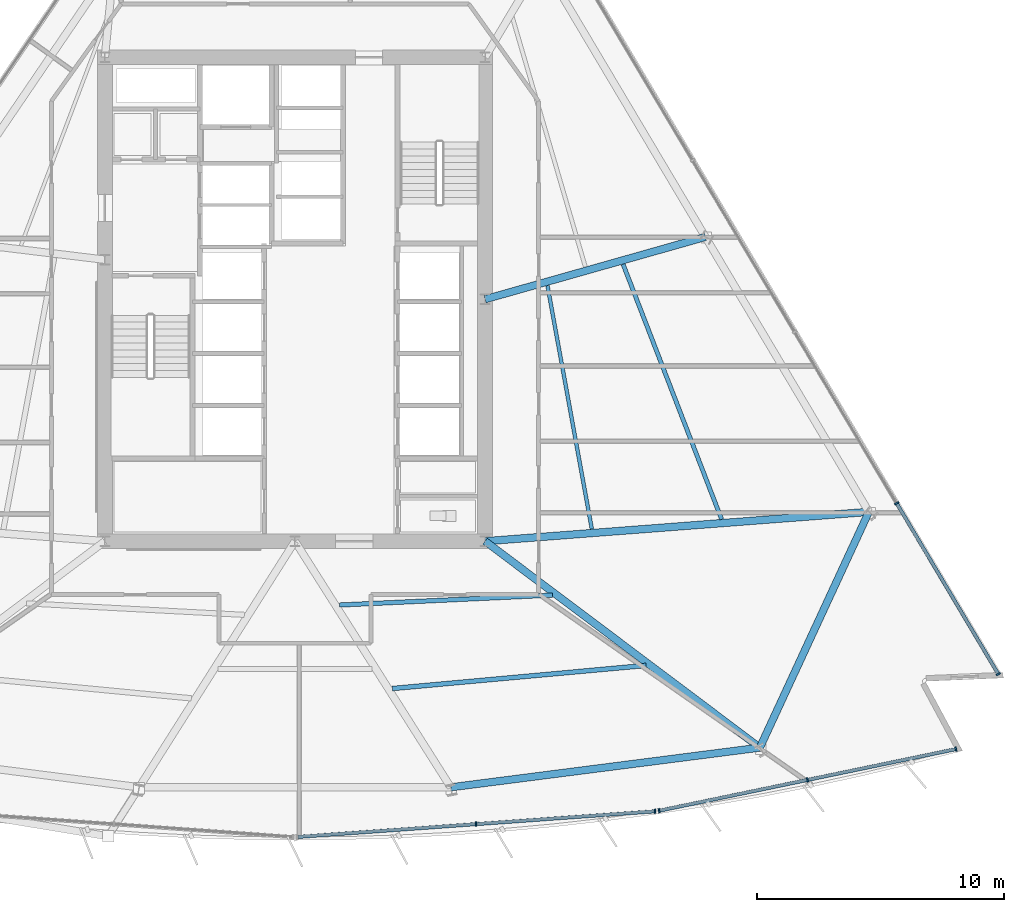
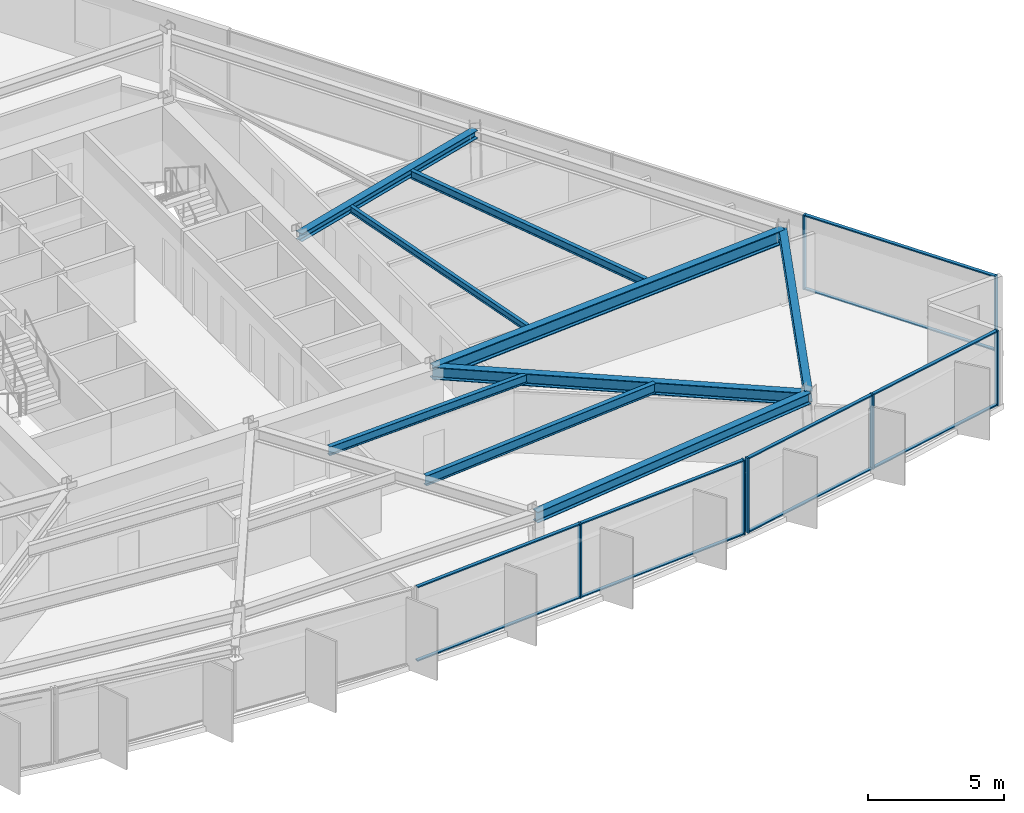
# One storey, part 4 of 15: 17 members, 9 beams, 3 elements without a shape of their own.
"""IFC4 building model written with IfcOpenShell, lengths in metres."""

import ifcopenshell
import ifcopenshell.guid

model = None  # the IFC model being written
_history = None  # IfcOwnerHistory: only IFC2X3 demands one
_inside = {}  # id of a spatial element -> (the spatial element, [elements in it])
_under = {}  # id of a project, library or spatial element -> (it, [spatial elements below it])
_declared = {}  # id of a project -> (the project, [libraries it declares])
_typed = {}  # id of a type object -> (the type object, [elements of that type])
_made_of = {}  # id of a material, layer set ... -> (it, [elements and type objects made of it])


def new_model(schema):
    """Start an empty IFC model of exactly this schema.

    Asked for "IFC4X3", IfcOpenShell would pick the latest addendum, in which some entities
    have other attributes; the version numbers below select the first issue.
    IFC2X3 requires an IfcOwnerHistory on every rooted entity: one is made here for all.
    """
    global model, _history
    if schema == "IFC4X3":
        model = ifcopenshell.file(schema_version=(4, 3, 0, 0))
    else:
        model = ifcopenshell.file(schema=schema)
    _inside.clear()
    _under.clear()
    _declared.clear()
    _typed.clear()
    _made_of.clear()
    _history = None
    if model.schema == "IFC2X3":
        org = make("IfcOrganization", Name="unknown")
        user = make(
            "IfcPersonAndOrganization",
            ThePerson=make("IfcPerson", FamilyName="unknown"),
            TheOrganization=org,
        )
        app = make(
            "IfcApplication",
            ApplicationDeveloper=org,
            Version="unknown",
            ApplicationFullName="unknown",
            ApplicationIdentifier="unknown",
        )
        _history = make(
            "IfcOwnerHistory",
            OwningUser=user,
            OwningApplication=app,
            ChangeAction="ADDED",
            CreationDate=0,
        )
    return model


def make(cls, **values):
    """One entity of the class cls with the attributes given. An attribute that is None is left unset."""
    return model.create_entity(
        cls, **{name: value for name, value in values.items() if value is not None}
    )


def rooted(cls, **values):
    """An entity with a GlobalId (a new one), such as an element, a storey or a relation."""
    return make(cls, GlobalId=ifcopenshell.guid.new(), OwnerHistory=_history, **values)


def si_unit(unit_type, name, prefix=None):
    """IfcSIUnit, for example si_unit("LENGTHUNIT", "METRE", prefix="MILLI")."""
    return make("IfcSIUnit", UnitType=unit_type, Prefix=prefix, Name=name)


def assignment(units):
    """IfcUnitAssignment: the units of a project."""
    return None if units is None else make("IfcUnitAssignment", Units=units)


def point(xyz):
    """IfcCartesianPoint."""
    return None if xyz is None else make("IfcCartesianPoint", Coordinates=xyz)


def direction(xyz):
    """IfcDirection."""
    return None if xyz is None else make("IfcDirection", DirectionRatios=xyz)


def frame(location, z_axis=None, x_axis=None):
    """IfcAxis2Placement3D, a coordinate frame: its origin and axes. An axis left out is left unset."""
    return make(
        "IfcAxis2Placement3D",
        Location=point(location),
        Axis=direction(z_axis),
        RefDirection=direction(x_axis),
    )


def frame_2d(location, x_axis=None):
    """IfcAxis2Placement2D, a coordinate frame in the plane: its origin and x axis."""
    return make(
        "IfcAxis2Placement2D", Location=point(location), RefDirection=direction(x_axis)
    )


def origin():
    """The frame at (0, 0, 0) with its axes left unset."""
    return frame((0.0, 0.0, 0.0))


def origin_2d():
    """The frame at (0, 0) in the plane with its x axis left unset."""
    return frame_2d((0.0, 0.0))


def place(relative_to, where):
    """IfcLocalPlacement: puts the frame where relative to a parent placement (None: the world)."""
    return make(
        "IfcLocalPlacement", PlacementRelTo=relative_to, RelativePlacement=where
    )


def context(
    kind, dimensions, precision=None, world=None, true_north=None, identifier=None
):
    """IfcGeometricRepresentationContext, for example the 3D "Model" context."""
    return make(
        "IfcGeometricRepresentationContext",
        ContextIdentifier=identifier,
        ContextType=kind,
        CoordinateSpaceDimension=dimensions,
        Precision=precision,
        WorldCoordinateSystem=world,
        TrueNorth=true_north,
    )


def subcontext(parent, identifier, kind, view, scale=None):
    """IfcGeometricRepresentationSubContext, for example "Body" below "Model"."""
    return make(
        "IfcGeometricRepresentationSubContext",
        ContextIdentifier=identifier,
        ContextType=kind,
        ParentContext=parent,
        TargetScale=scale,
        TargetView=view,
    )


def project(units=None, contexts=None):
    """IfcProject with its units and contexts."""
    return rooted(
        "IfcProject",
        Name="project",
        RepresentationContexts=contexts,
        UnitsInContext=assignment(units),
    )


def spatial(cls, under=None, at=None, **own):
    """A site, building, storey or space (cls), placed at a placement, below another one or the project."""
    s = rooted(cls, ObjectPlacement=at, **own)
    if under is not None:
        _under.setdefault(under.id(), (under, []))[1].append(s)
    return s


def profile(cls, at=None, kind="AREA", **sizes):
    """A parametric profile (cls). Its sizes go by their IFC names, for example OverallWidth=200.0."""
    return make(cls, ProfileType=kind, Position=at, **sizes)


def rectangle(**sizes):
    """IfcRectangleProfileDef."""
    return profile("IfcRectangleProfileDef", **sizes)


def i_section(**sizes):
    """IfcIShapeProfileDef."""
    return profile("IfcIShapeProfileDef", **sizes)


def extrude(swept, where, along, depth):
    """IfcExtrudedAreaSolid: the profile swept, set in the frame where, extruded along a direction by depth."""
    return make(
        "IfcExtrudedAreaSolid",
        SweptArea=swept,
        Position=where,
        ExtrudedDirection=direction(along),
        Depth=depth,
    )


def shape(context_of_items, identifier, shape_type, items):
    """IfcShapeRepresentation: the items that make up one representation, for example the "Body"."""
    return make(
        "IfcShapeRepresentation",
        ContextOfItems=context_of_items,
        RepresentationIdentifier=identifier,
        RepresentationType=shape_type,
        Items=items,
    )


def material(Name=None, Category=None):
    """IfcMaterial."""
    return make("IfcMaterial", Name=Name, Category=Category)


def material_profile(
    of_material, cross_section, Name=None, Category=None, Priority=None
):
    """IfcMaterialProfile: a cross section and its material."""
    return make(
        "IfcMaterialProfile",
        Name=Name,
        Material=of_material,
        Profile=cross_section,
        Priority=Priority,
        Category=Category,
    )


def profile_set(profiles, Name=None, composite=None):
    """IfcMaterialProfileSet."""
    return make(
        "IfcMaterialProfileSet",
        Name=Name,
        MaterialProfiles=profiles,
        CompositeProfile=composite,
    )


def made_of(thing, what):
    """Note that an element or type object is made of a material, layer set ...; save() writes the relation."""
    if what is not None:
        _made_of.setdefault(what.id(), (what, []))[1].append(thing)
    return thing


def type_object(cls, material=None, **own):
    """A type object (cls), such as IfcWallType, which elements share."""
    return made_of(rooted(cls, **own), material)


def element(
    cls,
    number,
    at=None,
    inside=None,
    cuts=None,
    type_object=None,
    material=None,
    context=None,
    identifier="Body",
    shape_type=None,
    held_by="IfcProductDefinitionShape",
    body=None,
    shapes=None,
    **own,
):
    """One element of the class cls, such as IfcWall. Its Tag is "e" and its number.

    at: its placement. inside: the storey or other place that contains it. cuts: it is an
    opening in that element (IfcRelVoidsElement). A single representation is given by context,
    identifier, shape_type and body (its items); several are given by shapes. held_by: the class
    of the entity that holds the representations. save() writes the other relations.
    """
    e = rooted(cls, Tag="e%d" % number, ObjectPlacement=at, **own)
    if body is not None:
        shapes = [shape(context, identifier, shape_type, body)]
    if shapes is not None:
        e.Representation = make(held_by, Representations=shapes)
    if inside is not None:
        _inside.setdefault(inside.id(), (inside, []))[1].append(e)
    if cuts is not None:
        rooted(
            "IfcRelVoidsElement", RelatingBuildingElement=cuts, RelatedOpeningElement=e
        )
    if type_object is not None:
        _typed.setdefault(type_object.id(), (type_object, []))[1].append(e)
    return made_of(e, material)


def aggregate(whole, parts):
    """IfcRelAggregates: a whole, such as a stair, and the parts it consists of."""
    return rooted("IfcRelAggregates", RelatingObject=whole, RelatedObjects=parts)


def save(model, path):
    """Write the relations noted so far, then the file.

    IfcRelAggregates (storeys below a building ...), IfcRelContainedInSpatialStructure (elements
    in a storey), IfcRelDefinesByType, IfcRelAssociatesMaterial and IfcRelDeclares: one each for
    every whole, place, type object, material and project.
    """
    for whole, parts in _under.values():
        aggregate(whole, parts)
    for where, things in _inside.values():
        rooted(
            "IfcRelContainedInSpatialStructure",
            RelatedElements=things,
            RelatingStructure=where,
        )
    for kind, things in _typed.values():
        rooted("IfcRelDefinesByType", RelatedObjects=things, RelatingType=kind)
    for what, things in _made_of.values():
        rooted("IfcRelAssociatesMaterial", RelatedObjects=things, RelatingMaterial=what)
    for by, libraries in _declared.values():
        rooted("IfcRelDeclares", RelatingContext=by, RelatedDefinitions=libraries)
    model.write(path)


model = new_model("IFC4")

# Units and contexts
model_context = context("Model", 3, precision=1e-05, world=origin(), true_north=direction((0.0, 1.0)))
body_context = subcontext(model_context, "Body", "Model", "MODEL_VIEW")
ifc_project = project(units=[si_unit("LENGTHUNIT", "METRE"), si_unit("AREAUNIT", "SQUARE_METRE"), si_unit("VOLUMEUNIT", "CUBIC_METRE"), si_unit("PLANEANGLEUNIT", "RADIAN"), si_unit("MASSUNIT", "GRAM", prefix="KILO")], contexts=[model_context])

# Site, building, storey
site_placement = place(None, origin())
site = spatial("IfcSite", under=ifc_project, at=site_placement, CompositionType="ELEMENT")
building_placement = place(site_placement, origin())
building = spatial("IfcBuilding", under=site, at=building_placement, Name="Savorim Split Tower", CompositionType="ELEMENT")
storey_placement = place(building_placement, frame((0.0, 0.0, 100.5)))
storey = spatial("IfcBuildingStorey", under=building, at=storey_placement, Name="L26", CompositionType="ELEMENT", Elevation=100.5)

# Beams
ifc_material_1 = material(Name="Steel S355", Category="steel")
ifc_material_profile_1 = material_profile(ifc_material_1, i_section(OverallWidth=0.14990234375, OverallDepth=0.300048828125, WebThickness=0.007080078125, FlangeThickness=0.0107421875, FilletRadius=0.014892578125, at=origin_2d()), Name="IPE 300")
ifc_profile_set_1 = profile_set([ifc_material_profile_1], Name="Steel S355")
beam_type_1 = type_object("IfcBeamType", Name="BM-JST-IPE300", PredefinedType="JOIST", material=ifc_profile_set_1)
beam_1_placement = place(storey_placement, frame((12.022705078125, -8.909912109375, 3.199951171875), z_axis=(-0.179277744783, 0.983798500825, 0.0), x_axis=(-0.983798500825, -0.179277744783, 0.0)))
element("IfcBeam", 1, at=beam_1_placement, inside=storey, type_object=beam_type_1, Name="L26 Secondary Floor Joist JS-08", PredefinedType="JOIST", context=body_context, shape_type="SweptSolid", body=[
    extrude(i_section(OverallWidth=0.14990234375, OverallDepth=0.300048828125, WebThickness=0.007080078125, FlangeThickness=0.0107421875, FilletRadius=0.014892578125, at=origin_2d()), origin(), (0.0, 0.0, 1.0), 10.021484375),
])
ifc_material_profile_2 = material_profile(ifc_material_1, i_section(OverallWidth=0.169921875, OverallDepth=0.360107421875, WebThickness=0.008056640625, FlangeThickness=0.0126953125, FilletRadius=0.01806640625, at=origin_2d()), Name="IPE 360")
ifc_profile_set_2 = profile_set([ifc_material_profile_2], Name="Steel S355")
beam_type_2 = type_object("IfcBeamType", Name="BM-JST-IPE360", PredefinedType="JOIST", material=ifc_profile_set_2)
beam_2_placement = place(storey_placement, frame((17.27734375, -8.513671875, 3.169921875), z_axis=(-0.360324717755, 0.932826938813, 0.0), x_axis=(-0.932826938813, -0.360324717755, 0.0)))
element("IfcBeam", 2, at=beam_2_placement, inside=storey, type_object=beam_type_2, Name="L26 Secondary Floor Joist JS-06", PredefinedType="JOIST", context=body_context, shape_type="SweptSolid", body=[
    extrude(i_section(OverallWidth=0.169921875, OverallDepth=0.360107421875, WebThickness=0.008056640625, FlangeThickness=0.0126953125, FilletRadius=0.01806640625, at=origin_2d()), origin(), (0.0, 0.0, 1.0), 11.07275390625),
])
ifc_material_profile_3 = material_profile(ifc_material_1, i_section(OverallWidth=0.179931640625, OverallDepth=0.39990234375, WebThickness=0.008544921875, FlangeThickness=0.013427734375, FilletRadius=0.02099609375, at=origin_2d()), Name="IPE 400")
ifc_profile_set_3 = profile_set([ifc_material_profile_3], Name="Steel S355")
beam_type_3 = type_object("IfcBeamType", Name="BM-JST-IPE400", PredefinedType="JOIST", material=ifc_profile_set_3)
beam_3_placement = place(storey_placement, frame((1.80029296875, -11.9833984375, 3.14990234375), z_axis=(0.998914315447, 0.046585302361, 0.0), x_axis=(-0.046585302361, 0.998914315447, 0.0)))
element("IfcBeam", 3, at=beam_3_placement, inside=storey, type_object=beam_type_3, Name="L26 Secondary Floor Joist JS-05", PredefinedType="JOIST", context=body_context, shape_type="SweptSolid", body=[
    extrude(i_section(OverallWidth=0.179931640625, OverallDepth=0.39990234375, WebThickness=0.008544921875, FlangeThickness=0.013427734375, FilletRadius=0.02099609375, at=origin_2d()), origin(), (0.0, 0.0, 1.0), 8.641845703125),
])
ifc_material_profile_4 = material_profile(ifc_material_1, i_section(OverallWidth=0.18994140625, OverallDepth=0.449951171875, WebThickness=0.009521484375, FlangeThickness=0.0146484375, FilletRadius=0.02099609375, at=origin_2d()), Name="IPE 450")
ifc_profile_set_4 = profile_set([ifc_material_profile_4], Name="Steel S355")
beam_type_4 = type_object("IfcBeamType", Name="BM-JST-IPE450", PredefinedType="JOIST", material=ifc_profile_set_4)
beam_4_placement = place(storey_placement, frame((3.94482421875, -15.364501953125, 3.125), z_axis=(0.995881556261, 0.090663807, 0.0), x_axis=(-0.090663807, 0.995881556261, 0.0)))
element("IfcBeam", 4, at=beam_4_placement, inside=storey, type_object=beam_type_4, Name="L26 Secondary Floor Joist JS-04", PredefinedType="JOIST", context=body_context, shape_type="SweptSolid", body=[
    extrude(i_section(OverallWidth=0.18994140625, OverallDepth=0.449951171875, WebThickness=0.009521484375, FlangeThickness=0.0146484375, FilletRadius=0.02099609375, at=origin_2d()), origin(), (0.0, 0.0, 1.0), 10.3134765625),
])
ifc_material_profile_5 = material_profile(ifc_material_1, i_section(OverallWidth=0.300048828125, OverallDepth=0.360107421875, WebThickness=0.012451171875, FlangeThickness=0.0224609375, FilletRadius=0.027099609375, at=origin_2d()), Name="HEB 360")
ifc_profile_set_5 = profile_set([ifc_material_profile_5], Name="Steel S355")
beam_type_5 = type_object("IfcBeamType", Name="BM-PRI-HEB360", PredefinedType="BEAM", material=ifc_profile_set_5)
beam_5_placement = place(storey_placement, frame((16.619384765625, 2.923583984375, 3.169921875), z_axis=(-0.962225445162, -0.272253912154, 0.0), x_axis=(0.272253912154, -0.962225445162, 0.0)))
element("IfcBeam", 5, at=beam_5_placement, inside=storey, type_object=beam_type_5, Name="L26 Primary Floor Girder RG-06", PredefinedType="BEAM", context=body_context, shape_type="SweptSolid", body=[
    extrude(i_section(OverallWidth=0.300048828125, OverallDepth=0.360107421875, WebThickness=0.012451171875, FlangeThickness=0.0224609375, FilletRadius=0.027099609375, at=origin_2d()), origin(), (0.0, 0.0, 1.0), 9.26953125),
])
ifc_material_profile_6 = material_profile(ifc_material_1, i_section(OverallWidth=0.300048828125, OverallDepth=0.550048828125, WebThickness=0.014892578125, FlangeThickness=0.029052734375, FilletRadius=0.027099609375, at=origin_2d()), Name="HEB 550")
ifc_profile_set_6 = profile_set([ifc_material_profile_6], Name="Steel S355")
beam_type_6 = type_object("IfcBeamType", Name="BM-PRI-HEB550", PredefinedType="BEAM", material=ifc_profile_set_6)
beam_6_placement = place(storey_placement, frame((18.8251953125, -17.75830078125, 3.074951171875), z_axis=(-0.799500748151, 0.600665092798, 0.0), x_axis=(-0.600665092798, -0.799500748151, 0.0)))
element("IfcBeam", 6, at=beam_6_placement, inside=storey, type_object=beam_type_6, Name="L26 Primary Floor Girder RG-04", PredefinedType="BEAM", context=body_context, shape_type="SweptSolid", body=[
    extrude(i_section(OverallWidth=0.300048828125, OverallDepth=0.550048828125, WebThickness=0.014892578125, FlangeThickness=0.029052734375, FilletRadius=0.027099609375, at=origin_2d()), origin(), (0.0, 0.0, 1.0), 13.915283203125),
])
ifc_material_2 = material(Name="Steel S460", Category="steel")
ifc_material_profile_7 = material_profile(ifc_material_2, i_section(OverallWidth=0.304931640625, OverallDepth=0.6201171875, WebThickness=0.02099609375, FlangeThickness=0.0400390625, FilletRadius=0.027099609375, at=origin_2d()), Name="HE 600 M")
ifc_profile_set_7 = profile_set([ifc_material_profile_7], Name="Steel S460")
beam_type_7 = type_object("IfcBeamType", Name="BM-PRI-HEM600", PredefinedType="BEAM", material=ifc_profile_set_7)
beam_7_placement = place(storey_placement, frame((23.240478515625, -8.211181640625, 3.0400390625), z_axis=(-0.997087288561, -0.076268859899, 0.0), x_axis=(0.076268859899, -0.997087288561, 0.0)))
element("IfcBeam", 7, at=beam_7_placement, inside=storey, type_object=beam_type_7, Name="L26 Primary Floor Girder RG-05", PredefinedType="BEAM", context=body_context, shape_type="SweptSolid", body=[
    extrude(i_section(OverallWidth=0.304931640625, OverallDepth=0.6201171875, WebThickness=0.02099609375, FlangeThickness=0.0400390625, FilletRadius=0.027099609375, at=origin_2d()), origin(), (0.0, 0.0, 1.0), 15.5859375),
])
ifc_material_profile_8 = material_profile(ifc_material_1, i_section(OverallWidth=0.300048828125, OverallDepth=0.489990234375, WebThickness=0.011962890625, FlangeThickness=0.02294921875, FilletRadius=0.027099609375, at=origin_2d()), Name="HEA 500")
ifc_profile_set_8 = profile_set([ifc_material_profile_8], Name="Steel S355")
beam_type_8 = type_object("IfcBeamType", Name="BM-SPN-HEA500", PredefinedType="SPANDREL", material=ifc_profile_set_8)
beam_8_placement = place(storey_placement, frame((6.309326171875, -19.365234375, 3.10498046875), z_axis=(0.991858308131, 0.127346364657, 0.0), x_axis=(-0.127346364657, 0.991858308131, 0.0)))
element("IfcBeam", 8, at=beam_8_placement, inside=storey, type_object=beam_type_8, Name="L26 Perimeter Spandrel Beam 3", PredefinedType="SPANDREL", context=body_context, shape_type="SweptSolid", body=[
    extrude(i_section(OverallWidth=0.300048828125, OverallDepth=0.489990234375, WebThickness=0.011962890625, FlangeThickness=0.02294921875, FilletRadius=0.027099609375, at=origin_2d()), origin(), (0.0, 0.0, 1.0), 12.61865234375),
])
beam_9_placement = place(storey_placement, frame((18.8251953125, -17.75830078125, 3.10498046875), z_axis=(0.419757190947, 0.907636436382, 0.0), x_axis=(-0.907636436382, 0.419757190947, 0.0)))
element("IfcBeam", 9, at=beam_9_placement, inside=storey, type_object=beam_type_8, Name="L26 Perimeter Spandrel Beam 4", PredefinedType="SPANDREL", context=body_context, shape_type="SweptSolid", body=[
    extrude(i_section(OverallWidth=0.300048828125, OverallDepth=0.489990234375, WebThickness=0.011962890625, FlangeThickness=0.02294921875, FilletRadius=0.027099609375, at=origin_2d()), origin(), (0.0, 0.0, 1.0), 10.5185546875),
])

# Curtain wall, members
ifc_material_3 = material(Name="Dark Ceramic-Fritted Insulated Glass", Category="glass")
curtain_wall_type = type_object("IfcCurtainWallType", Name="CW-TWR-FRIT-A", PredefinedType="NOTDEFINED", material=ifc_material_3)
curtain_wall_1_placement = place(storey_placement, origin())
curtain_wall_1 = element("IfcCurtainWall", 10, at=curtain_wall_1_placement, inside=storey, type_object=curtain_wall_type, Name="L26 Curtain Wall CW-L26-SF3", PredefinedType="NOTDEFINED")
ifc_material_4 = material(Name="Charcoal Anodised Aluminium", Category="aluminium")
ifc_material_profile_9 = material_profile(ifc_material_4, rectangle(XDim=0.179931640625, YDim=0.06494140625, at=origin_2d()), Name="ALU-M 180x65")
ifc_profile_set_9 = profile_set([ifc_material_profile_9], Name="Charcoal Anodised Aluminium")
member_type_1 = type_object("IfcMemberType", Name="CWM-180x65", PredefinedType="MULLION", material=ifc_profile_set_9)
member_1_placement = place(storey_placement, frame((7.33203125, -20.8544921875, 0.0), z_axis=(0.0, 0.0, 1.0), x_axis=(-0.071560540796, 0.997436258114, 0.0)))
member_1 = element("IfcMember", 11, at=member_1_placement, type_object=member_type_1, Name="CW-02 mullion 2", PredefinedType="MULLION", context=body_context, shape_type="SweptSolid", body=[
    extrude(rectangle(XDim=0.179931640625, YDim=0.06494140625, at=origin_2d()), origin(), (0.0, 0.0, 1.0), 3.35009765625),
])
member_2_placement = place(storey_placement, frame((14.580322265625, -20.33447265625, 0.0), z_axis=(0.0, 0.0, 1.0), x_axis=(-0.071560540796, 0.997436258114, 0.0)))
member_2 = element("IfcMember", 12, at=member_2_placement, type_object=member_type_1, Name="CW-02 mullion 3", PredefinedType="MULLION", context=body_context, shape_type="SweptSolid", body=[
    extrude(rectangle(XDim=0.179931640625, YDim=0.06494140625, at=origin_2d()), origin(), (0.0, 0.0, 1.0), 3.35009765625),
])

curtain_wall_2_placement = place(storey_placement, origin())
curtain_wall_2 = element("IfcCurtainWall", 13, at=curtain_wall_2_placement, inside=storey, type_object=curtain_wall_type, Name="L26 Curtain Wall CW-L26-SF4", PredefinedType="NOTDEFINED")
member_3_placement = place(storey_placement, frame((14.747314453125, -20.311279296875, 0.0), z_axis=(0.0, 0.0, 1.0), x_axis=(-0.203210153081, 0.979135145772, 0.0)))
member_3 = element("IfcMember", 14, at=member_3_placement, type_object=member_type_1, Name="CW-02 mullion 1", PredefinedType="MULLION", context=body_context, shape_type="SweptSolid", body=[
    extrude(rectangle(XDim=0.179931640625, YDim=0.06494140625, at=origin_2d()), origin(), (0.0, 0.0, 1.0), 3.35009765625),
])
member_4_placement = place(storey_placement, frame((20.75634765625, -19.064208984375, 0.0), z_axis=(0.0, 0.0, 1.0), x_axis=(-0.203210153081, 0.979135145772, 0.0)))
member_4 = element("IfcMember", 15, at=member_4_placement, type_object=member_type_1, Name="CW-02 mullion 2", PredefinedType="MULLION", context=body_context, shape_type="SweptSolid", body=[
    extrude(rectangle(XDim=0.179931640625, YDim=0.06494140625, at=origin_2d()), origin(), (0.0, 0.0, 1.0), 3.35009765625),
])
member_5_placement = place(storey_placement, frame((26.76513671875, -17.81689453125, 0.0), z_axis=(0.0, 0.0, 1.0), x_axis=(-0.203210153081, 0.979135145772, 0.0)))
member_5 = element("IfcMember", 16, at=member_5_placement, type_object=member_type_1, Name="CW-02 mullion 3", PredefinedType="MULLION", context=body_context, shape_type="SweptSolid", body=[
    extrude(rectangle(XDim=0.179931640625, YDim=0.06494140625, at=origin_2d()), origin(), (0.0, 0.0, 1.0), 3.35009765625),
])

curtain_wall_3_placement = place(storey_placement, origin())
curtain_wall_3 = element("IfcCurtainWall", 17, at=curtain_wall_3_placement, inside=storey, type_object=curtain_wall_type, Name="L26 Curtain Wall CW-L26-EAST", PredefinedType="NOTDEFINED")
member_6_placement = place(storey_placement, frame((28.480224609375, -14.78173828125, 0.0), z_axis=(0.0, 0.0, 1.0), x_axis=(-0.859524537852, -0.511094481315, 0.0)))
member_6 = element("IfcMember", 18, at=member_6_placement, type_object=member_type_1, Name="CW-02 mullion 1", PredefinedType="MULLION", context=body_context, shape_type="SweptSolid", body=[
    extrude(rectangle(XDim=0.179931640625, YDim=0.06494140625, at=origin_2d()), origin(), (0.0, 0.0, 1.0), 3.35009765625),
])
member_7_placement = place(storey_placement, frame((24.36669921875, -7.864013671875, 0.0), z_axis=(0.0, 0.0, 1.0), x_axis=(-0.859524537852, -0.511094481315, 0.0)))
member_7 = element("IfcMember", 19, at=member_7_placement, type_object=member_type_1, Name="CW-02 mullion 2", PredefinedType="MULLION", context=body_context, shape_type="SweptSolid", body=[
    extrude(rectangle(XDim=0.179931640625, YDim=0.06494140625, at=origin_2d()), origin(), (0.0, 0.0, 1.0), 3.35009765625),
])

# Member
ifc_material_profile_10 = material_profile(ifc_material_4, rectangle(XDim=0.139892578125, YDim=0.054931640625, at=origin_2d()), Name="ALU-T 140x55")
ifc_profile_set_10 = profile_set([ifc_material_profile_10], Name="Charcoal Anodised Aluminium")
member_type_2 = type_object("IfcMemberType", Name="CWT-140x55", PredefinedType="USERDEFINED", material=ifc_profile_set_10)
member_8_placement = place(storey_placement, frame((0.1162109375, -21.3720703125, 0.027587890625), z_axis=(0.997436107345, 0.071562642239, 0.0), x_axis=(-0.071562642239, 0.997436107345, 0.0)))
member_8 = element("IfcMember", 20, at=member_8_placement, type_object=member_type_2, Name="CW-02 transom 1.1", ObjectType="TRANSOM", PredefinedType="USERDEFINED", context=body_context, shape_type="SweptSolid", body=[
    extrude(rectangle(XDim=0.139892578125, YDim=0.054931640625, at=origin_2d()), origin(), (0.0, 0.0, 1.0), 7.201904296875),
])

member_9_placement = place(storey_placement, frame((0.1162109375, -21.3720703125, 3.322509765625), z_axis=(0.997436107345, 0.071562642239, 0.0), x_axis=(-0.071562642239, 0.997436107345, 0.0)))
member_9 = element("IfcMember", 21, at=member_9_placement, type_object=member_type_2, Name="CW-02 transom 1.2", ObjectType="TRANSOM", PredefinedType="USERDEFINED", context=body_context, shape_type="SweptSolid", body=[
    extrude(rectangle(XDim=0.139892578125, YDim=0.054931640625, at=origin_2d()), origin(), (0.0, 0.0, 1.0), 7.201904296875),
])

member_10_placement = place(storey_placement, frame((7.364501953125, -20.85205078125, 0.027587890625), z_axis=(0.997436107345, 0.071562642239, 0.0), x_axis=(-0.071562642239, 0.997436107345, 0.0)))
member_10 = element("IfcMember", 22, at=member_10_placement, type_object=member_type_2, Name="CW-02 transom 2.1", ObjectType="TRANSOM", PredefinedType="USERDEFINED", context=body_context, shape_type="SweptSolid", body=[
    extrude(rectangle(XDim=0.139892578125, YDim=0.054931640625, at=origin_2d()), origin(), (0.0, 0.0, 1.0), 7.201904296875),
])

member_11_placement = place(storey_placement, frame((7.364501953125, -20.85205078125, 3.322509765625), z_axis=(0.997436107345, 0.071562642239, 0.0), x_axis=(-0.071562642239, 0.997436107345, 0.0)))
member_11 = element("IfcMember", 23, at=member_11_placement, type_object=member_type_2, Name="CW-02 transom 2.2", ObjectType="TRANSOM", PredefinedType="USERDEFINED", context=body_context, shape_type="SweptSolid", body=[
    extrude(rectangle(XDim=0.139892578125, YDim=0.054931640625, at=origin_2d()), origin(), (0.0, 0.0, 1.0), 7.201904296875),
])

aggregate(curtain_wall_1, [member_1, member_2, member_8, member_9, member_10, member_11])

member_12_placement = place(storey_placement, frame((14.779052734375, -20.3046875, 0.027587890625), z_axis=(0.97913534694, 0.203209183781, 0.0), x_axis=(-0.203209183781, 0.97913534694, 0.0)))
member_12 = element("IfcMember", 24, at=member_12_placement, type_object=member_type_2, Name="CW-02 transom 1.1", ObjectType="TRANSOM", PredefinedType="USERDEFINED", context=body_context, shape_type="SweptSolid", body=[
    extrude(rectangle(XDim=0.139892578125, YDim=0.054931640625, at=origin_2d()), origin(), (0.0, 0.0, 1.0), 6.072021484375),
])

member_13_placement = place(storey_placement, frame((14.779052734375, -20.3046875, 3.322509765625), z_axis=(0.97913534694, 0.203209183781, 0.0), x_axis=(-0.203209183781, 0.97913534694, 0.0)))
member_13 = element("IfcMember", 25, at=member_13_placement, type_object=member_type_2, Name="CW-02 transom 1.2", ObjectType="TRANSOM", PredefinedType="USERDEFINED", context=body_context, shape_type="SweptSolid", body=[
    extrude(rectangle(XDim=0.139892578125, YDim=0.054931640625, at=origin_2d()), origin(), (0.0, 0.0, 1.0), 6.072021484375),
])

member_14_placement = place(storey_placement, frame((20.7880859375, -19.0576171875, 0.027587890625), z_axis=(0.97913534694, 0.203209183781, 0.0), x_axis=(-0.203209183781, 0.97913534694, 0.0)))
member_14 = element("IfcMember", 26, at=member_14_placement, type_object=member_type_2, Name="CW-02 transom 2.1", ObjectType="TRANSOM", PredefinedType="USERDEFINED", context=body_context, shape_type="SweptSolid", body=[
    extrude(rectangle(XDim=0.139892578125, YDim=0.054931640625, at=origin_2d()), origin(), (0.0, 0.0, 1.0), 6.072021484375),
])

member_15_placement = place(storey_placement, frame((20.7880859375, -19.0576171875, 3.322509765625), z_axis=(0.97913534694, 0.203209183781, 0.0), x_axis=(-0.203209183781, 0.97913534694, 0.0)))
member_15 = element("IfcMember", 27, at=member_15_placement, type_object=member_type_2, Name="CW-02 transom 2.2", ObjectType="TRANSOM", PredefinedType="USERDEFINED", context=body_context, shape_type="SweptSolid", body=[
    extrude(rectangle(XDim=0.139892578125, YDim=0.054931640625, at=origin_2d()), origin(), (0.0, 0.0, 1.0), 6.072021484375),
])

aggregate(curtain_wall_2, [member_3, member_4, member_5, member_12, member_13, member_14, member_15])

member_16_placement = place(storey_placement, frame((28.463623046875, -14.753662109375, 0.027587890625), z_axis=(-0.511105313723, 0.859518096542, 0.0), x_axis=(-0.859518096542, -0.511105313723, 0.0)))
member_16 = element("IfcMember", 28, at=member_16_placement, type_object=member_type_2, Name="CW-02 transom 1.1", ObjectType="TRANSOM", PredefinedType="USERDEFINED", context=body_context, shape_type="SweptSolid", body=[
    extrude(rectangle(XDim=0.139892578125, YDim=0.054931640625, at=origin_2d()), origin(), (0.0, 0.0, 1.0), 7.9833984375),
])

member_17_placement = place(storey_placement, frame((28.463623046875, -14.753662109375, 3.322509765625), z_axis=(-0.511105313723, 0.859518096542, 0.0), x_axis=(-0.859518096542, -0.511105313723, 0.0)))
member_17 = element("IfcMember", 29, at=member_17_placement, type_object=member_type_2, Name="CW-02 transom 1.2", ObjectType="TRANSOM", PredefinedType="USERDEFINED", context=body_context, shape_type="SweptSolid", body=[
    extrude(rectangle(XDim=0.139892578125, YDim=0.054931640625, at=origin_2d()), origin(), (0.0, 0.0, 1.0), 7.9833984375),
])

aggregate(curtain_wall_3, [member_6, member_7, member_16, member_17])

save(model, "model.ifc")
